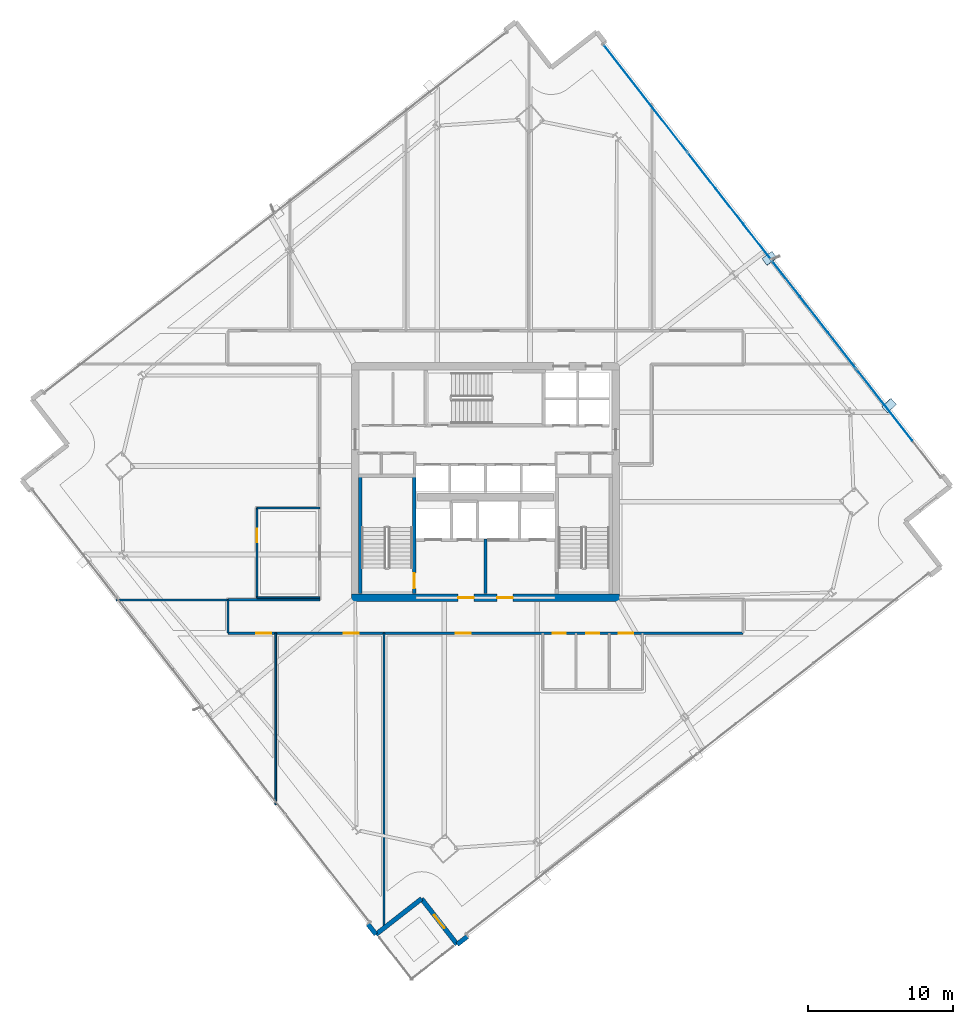
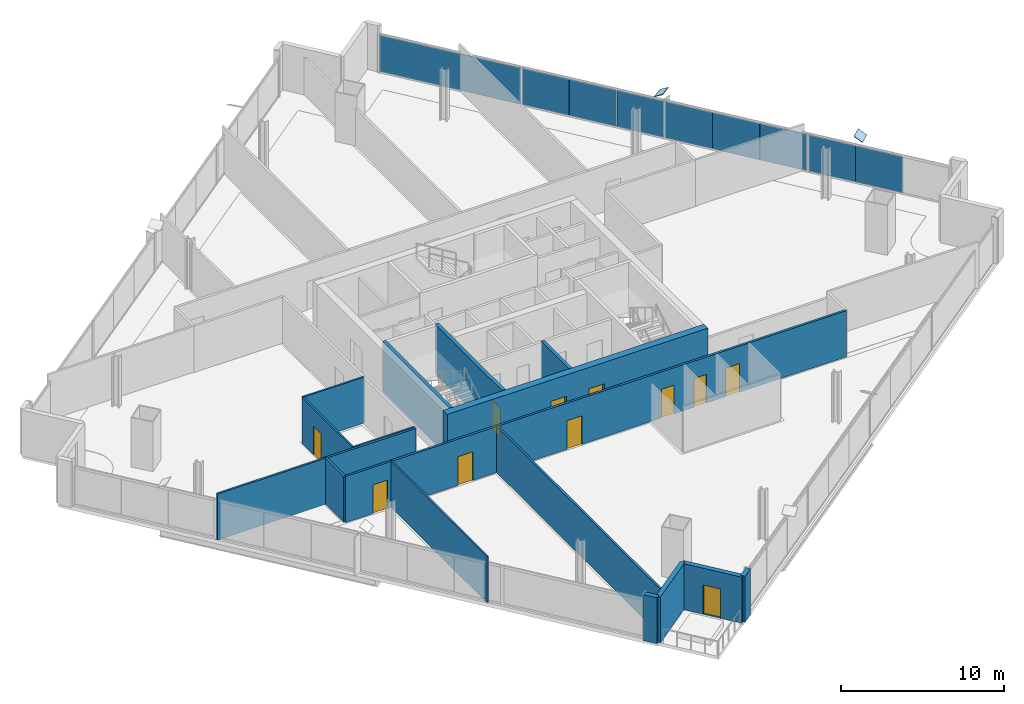
# One storey, part 24 of 32: 17 walls, 11 doors, 11 plates, 11 openings, 1 element without a shape of its own.
"""IFC4 building model written with IfcOpenShell, lengths in metres."""

from ifc_helpers import new_model, si_unit, direction, frame, frame_2d, origin, origin_2d, place, context, subcontext, project, spatial, rectangle, extrude, source, transform, mapped, material, layer, layer_set, type_object, element, fill, aggregate, save


model = new_model("IFC4")

# Units and contexts
model_context = context("Model", 3, precision=1e-05, world=origin(), true_north=direction((0.0, 1.0)))
body_context = subcontext(model_context, "Body", "Model", "MODEL_VIEW")
ifc_project = project(units=[si_unit("LENGTHUNIT", "METRE"), si_unit("AREAUNIT", "SQUARE_METRE"), si_unit("VOLUMEUNIT", "CUBIC_METRE"), si_unit("PLANEANGLEUNIT", "RADIAN"), si_unit("MASSUNIT", "GRAM", prefix="KILO")], contexts=[model_context])

# Site, building, storey
site_placement = place(None, origin())
site = spatial("IfcSite", under=ifc_project, at=site_placement, CompositionType="ELEMENT")
building_placement = place(site_placement, origin())
building = spatial("IfcBuilding", under=site, at=building_placement, Name="Haldenkirk Collegiate Tower", CompositionType="ELEMENT")
storey_placement = place(building_placement, frame((0.0, 0.0, 155.699951171875)))
storey = spatial("IfcBuildingStorey", under=building, at=storey_placement, Name="L38", CompositionType="ELEMENT", Elevation=155.699951171875)

# Plates
ifc_material_1 = material(Name="Steel ASTM A572 Grade 50", Category="steel")
ifc_layer_1 = layer(ifc_material_1, 0.034912109375)
ifc_layer_set_1 = layer_set([ifc_layer_1], Name="Steel ASTM A572 Grade 50")
plate_type_1 = type_object("IfcPlateType", Name="PLT-CAP-EXT-760X600", PredefinedType="USERDEFINED", material=ifc_layer_set_1)
shared_shape_1 = source(origin(), body_context, "Body", "SweptSolid", [
    extrude(rectangle(XDim=0.860107421875, YDim=0.659912109375, at=origin_2d()), origin(), (0.0, 0.0, 1.0), 0.034912109375),
])
for number, where, z_axis, x_axis, name in (
    (1, (63.888916015625, 31.291015625, 3.447509765625), (0.34896288451, -0.38679387199, 0.853589717502), (0.742483876472, 0.669863936318, -5.8109e-08), "Perimeter Mega Brace Z3 L36-L38 EL end cap plate 2"),
    (2, (55.6337890625, 41.44873046875, 3.447265625), (-0.284263022692, 0.393423031406, 0.874307069793), (-0.810558085201, -0.585658254032, -2.8102e-07), "Perimeter Mega Brace Z3 L36-L38 ER end cap plate 2"),
):
    element("IfcPlate", number, at=place(storey_placement, frame(where, z_axis=z_axis, x_axis=x_axis)), inside=storey, type_object=plate_type_1, Name=name, ObjectType="END CAP PLATE", PredefinedType="USERDEFINED", context=body_context, shape_type="MappedRepresentation", body=[
        mapped(shared_shape_1, transform((0.0, 0.0, 0.0), x_axis=(1.0, 0.0, 0.0), y_axis=(0.0, 1.0, 0.0), z_axis=(0.0, 0.0, 1.0), scale=1.0)),
    ])

# Curtain wall, plates
ifc_material_2 = material(Name="Anodised architectural bronze aluminium", Category="aluminium")
curtain_wall_type = type_object("IfcCurtainWallType", Name="CW-SYS1-CONVEX-LOW", PredefinedType="USERDEFINED", material=ifc_material_2)
curtain_wall_placement = place(storey_placement, origin())
curtain_wall = element("IfcCurtainWall", 3, at=curtain_wall_placement, inside=storey, type_object=curtain_wall_type, Name="L38 Lower tower convex bronze-framed unitised curtain wall", ObjectType="UNITISED CURTAIN WALL", PredefinedType="USERDEFINED")
ifc_material_3 = material(Name="Low-E argon triple insulating glass", Category="glass")
ifc_layer_2 = layer(ifc_material_3, 0.0439453125)
ifc_layer_set_2 = layer_set([ifc_layer_2], Name="Low-E argon triple insulating glass")
plate_type_2 = type_object("IfcPlateType", Name="CW-PNL-1A", PredefinedType="CURTAIN_PANEL", material=ifc_layer_set_2)
shared_shape_2 = source(origin(), body_context, "Body", "SweptSolid", [
    extrude(rectangle(XDim=9.3798828125, YDim=0.0439453125, at=origin_2d()), origin(), (0.0, 0.0, 1.0), 2.7509765625),
])
plate_1_placement = place(storey_placement, frame((47.0400390625, 52.52880859375, 0.080078125), z_axis=(0.0, 0.0, 1.0), x_axis=(0.614973811968, -0.788547532235, 0.0)))
plate_1 = element("IfcPlate", 4, at=plate_1_placement, type_object=plate_type_2, Name="CW-1A panel 1.1", PredefinedType="CURTAIN_PANEL", context=body_context, shape_type="MappedRepresentation", body=[
    mapped(shared_shape_2, transform((0.0, 0.0, 0.0), x_axis=(1.0, 0.0, 0.0), y_axis=(0.0, 1.0, 0.0), z_axis=(0.0, 0.0, 1.0), scale=1.0)),
])
shared_shape_3 = source(origin(), body_context, "Body", "SweptSolid", [
    extrude(rectangle(XDim=3.12744140625, YDim=0.0439453125, at=origin_2d()), origin(), (0.0, 0.0, 1.0), 2.7509765625),
])
plate_2_placement = place(storey_placement, frame((50.93505859375, 47.534423828125, 0.080078125), z_axis=(0.0, 0.0, 1.0), x_axis=(0.614973811968, -0.788547532235, 0.0)))
plate_2 = element("IfcPlate", 5, at=plate_2_placement, type_object=plate_type_2, Name="CW-1A panel 2.1a", PredefinedType="CURTAIN_PANEL", context=body_context, shape_type="MappedRepresentation", body=[
    mapped(shared_shape_3, transform((0.0, 0.0, 0.0), x_axis=(1.0, 0.0, 0.0), y_axis=(0.0, 1.0, 0.0), z_axis=(0.0, 0.0, 1.0), scale=1.0)),
])
ifc_material_4 = material(Name="Bronze-anodised insulated aluminium spandrel panel", Category="aluminium")
ifc_layer_3 = layer(ifc_material_4, 0.0439453125)
ifc_layer_set_3 = layer_set([ifc_layer_3], Name="Bronze-anodised insulated aluminium spandrel panel")
plate_type_3 = type_object("IfcPlateType", Name="CW-SPD-1A", PredefinedType="CURTAIN_PANEL", material=ifc_layer_set_3)
plate_3_placement = place(storey_placement, frame((54.8046875, 42.572509765625, 0.080078125), z_axis=(0.0, 0.0, 1.0), x_axis=(0.614973811968, -0.788547532235, 0.0)))
plate_3 = element("IfcPlate", 6, at=plate_3_placement, type_object=plate_type_3, Name="CW-1A spandrel panel 2.1c", PredefinedType="CURTAIN_PANEL", context=body_context, shape_type="MappedRepresentation", body=[
    mapped(shared_shape_3, transform((0.0, 0.0, 0.0), x_axis=(1.0, 0.0, 0.0), y_axis=(0.0, 1.0, 0.0), z_axis=(0.0, 0.0, 1.0), scale=1.0)),
])
plate_4_placement = place(storey_placement, frame((56.77734375, 40.043212890625, 0.080078125), z_axis=(0.0, 0.0, 1.0), x_axis=(0.614973811968, -0.788547532235, 0.0)))
plate_4 = element("IfcPlate", 7, at=plate_4_placement, type_object=plate_type_3, Name="CW-1A spandrel panel 3.1a", PredefinedType="CURTAIN_PANEL", context=body_context, shape_type="MappedRepresentation", body=[
    mapped(shared_shape_3, transform((0.0, 0.0, 0.0), x_axis=(1.0, 0.0, 0.0), y_axis=(0.0, 1.0, 0.0), z_axis=(0.0, 0.0, 1.0), scale=1.0)),
])
plate_5_placement = place(storey_placement, frame((60.64697265625, 35.081298828125, 0.080078125), z_axis=(0.0, 0.0, 1.0), x_axis=(0.614973811968, -0.788547532235, 0.0)))
plate_5 = element("IfcPlate", 8, at=plate_5_placement, type_object=plate_type_2, Name="CW-1A panel 3.1c", PredefinedType="CURTAIN_PANEL", context=body_context, shape_type="MappedRepresentation", body=[
    mapped(shared_shape_3, transform((0.0, 0.0, 0.0), x_axis=(1.0, 0.0, 0.0), y_axis=(0.0, 1.0, 0.0), z_axis=(0.0, 0.0, 1.0), scale=1.0)),
])
shared_shape_4 = source(origin(), body_context, "Body", "SweptSolid", [
    extrude(rectangle(XDim=3.114990234375, YDim=0.0439453125, at=origin_2d()), origin(), (0.0, 0.0, 1.0), 2.7509765625),
])
plate_6_placement = place(storey_placement, frame((52.869873046875, 45.053466796875, 0.080078125), z_axis=(0.0, 0.0, 1.0), x_axis=(0.614973811968, -0.788547532235, 0.0)))
plate_6 = element("IfcPlate", 9, at=plate_6_placement, type_object=plate_type_2, Name="CW-1A panel 2.1b", PredefinedType="CURTAIN_PANEL", context=body_context, shape_type="MappedRepresentation", body=[
    mapped(shared_shape_4, transform((0.0, 0.0, 0.0), x_axis=(1.0, 0.0, 0.0), y_axis=(0.0, 1.0, 0.0), z_axis=(0.0, 0.0, 1.0), scale=1.0)),
])
plate_7_placement = place(storey_placement, frame((58.712158203125, 37.562255859375, 0.080078125), z_axis=(0.0, 0.0, 1.0), x_axis=(0.614973811968, -0.788547532235, 0.0)))
plate_7 = element("IfcPlate", 10, at=plate_7_placement, type_object=plate_type_2, Name="CW-1A panel 3.1b", PredefinedType="CURTAIN_PANEL", context=body_context, shape_type="MappedRepresentation", body=[
    mapped(shared_shape_4, transform((0.0, 0.0, 0.0), x_axis=(1.0, 0.0, 0.0), y_axis=(0.0, 1.0, 0.0), z_axis=(0.0, 0.0, 1.0), scale=1.0)),
])
shared_shape_5 = source(origin(), body_context, "Body", "SweptSolid", [
    extrude(rectangle(XDim=3.1142578125, YDim=0.0439453125, at=origin_2d()), origin(), (0.0, 0.0, 1.0), 2.7509765625),
])
plate_8_placement = place(storey_placement, frame((62.615478515625, 32.55712890625, 0.080078125), z_axis=(0.0, 0.0, 1.0), x_axis=(0.614973811968, -0.788547532235, 0.0)))
plate_8 = element("IfcPlate", 11, at=plate_8_placement, type_object=plate_type_3, Name="CW-1A spandrel panel 4.1a", PredefinedType="CURTAIN_PANEL", context=body_context, shape_type="MappedRepresentation", body=[
    mapped(shared_shape_5, transform((0.0, 0.0, 0.0), x_axis=(1.0, 0.0, 0.0), y_axis=(0.0, 1.0, 0.0), z_axis=(0.0, 0.0, 1.0), scale=1.0)),
])
shared_shape_6 = source(origin(), body_context, "Body", "SweptSolid", [
    extrude(rectangle(XDim=3.101806640625, YDim=0.0439453125, at=origin_2d()), origin(), (0.0, 0.0, 1.0), 2.7509765625),
])
plate_9_placement = place(storey_placement, frame((64.5419921875, 30.0869140625, 0.080078125), z_axis=(0.0, 0.0, 1.0), x_axis=(0.614973811968, -0.788547532235, 0.0)))
plate_9 = element("IfcPlate", 12, at=plate_9_placement, type_object=plate_type_3, Name="CW-1A spandrel panel 4.1b", PredefinedType="CURTAIN_PANEL", context=body_context, shape_type="MappedRepresentation", body=[
    mapped(shared_shape_6, transform((0.0, 0.0, 0.0), x_axis=(1.0, 0.0, 0.0), y_axis=(0.0, 1.0, 0.0), z_axis=(0.0, 0.0, 1.0), scale=1.0)),
])
aggregate(curtain_wall, [plate_1, plate_2, plate_6, plate_3, plate_4, plate_7, plate_5, plate_8, plate_9])

# Wall, openings, doors
ifc_material_5 = material(Name="Concrete f'c 55 MPa", Category="concrete")
ifc_layer_4 = layer(ifc_material_5, 0.5)
ifc_layer_set_4 = layer_set([ifc_layer_4], Name="Concrete f'c 55 MPa")
wall_type_1 = type_object("IfcWallType", Name="WL-CORE-500", PredefinedType="SHEAR", material=ifc_layer_set_4)
wall_1_placement = place(storey_placement, frame((26.75, 18.0, 0.0), z_axis=(0.0, 0.0, 1.0), x_axis=(1.0, 0.0, 0.0)))
wall_1 = element("IfcWall", 13, at=wall_1_placement, inside=storey, type_object=wall_type_1, Name="L38 central core shear wall S", PredefinedType="SHEAR", context=body_context, shape_type="SweptSolid", body=[
    extrude(rectangle(XDim=18.5, YDim=0.5, at=frame_2d((9.25, 0.0))), origin(), (0.0, 0.0, 1.0), 3.75),
])
opening_1_placement = place(wall_1_placement, frame((7.35009765625, 0.0, 0.0)))
opening_1 = element("IfcOpeningElement", 14, at=opening_1_placement, cuts=wall_1, Name="Opening D-02", PredefinedType="OPENING", context=body_context, shape_type="SweptSolid", body=[
    extrude(rectangle(XDim=1.10009765625, YDim=2.14990234375, at=frame_2d((0.550048828125, 1.074951171875))), frame((0.0, 0.260009765625, 0.0), z_axis=(0.0, -1.0, 0.0), x_axis=(1.0, 0.0, 0.0)), (0.0, 0.0, 1.0), 0.52001953125),
])
opening_2_placement = place(wall_1_placement, frame((10.050048828125, 0.0, 0.0)))
opening_2 = element("IfcOpeningElement", 15, at=opening_2_placement, cuts=wall_1, Name="Opening D-02", PredefinedType="OPENING", context=body_context, shape_type="SweptSolid", body=[
    extrude(rectangle(XDim=1.10009765625, YDim=2.14990234375, at=frame_2d((0.550048828125, 1.074951171875))), frame((0.0, 0.260009765625, 0.0), z_axis=(0.0, -1.0, 0.0), x_axis=(1.0, 0.0, 0.0)), (0.0, 0.0, 1.0), 0.52001953125),
])
ifc_material_6 = material(Name="Galvanized fire-rated hollow steel door", Category="steel")
ifc_layer_5 = layer(ifc_material_6, 0.06005859375)
ifc_layer_set_5 = layer_set([ifc_layer_5], Name="Galvanized fire-rated hollow steel door")
door_type_1 = type_object("IfcDoorType", Name="DR-STAIR-FD90-1100", OperationType="NOTDEFINED", PredefinedType="DOOR", material=ifc_layer_set_5)
door_1_placement = place(opening_1_placement, origin())
door_1 = element("IfcDoor", 16, at=door_1_placement, inside=storey, type_object=door_type_1, Name="L38 Firefighting Lobby 1 door", OperationType="SINGLE_SWING_LEFT", OverallHeight=2.14990234375, OverallWidth=1.10009765625, PredefinedType="DOOR", context=body_context, shape_type="SweptSolid", body=[
    extrude(rectangle(XDim=1.10009765625, YDim=2.14990234375, at=frame_2d((0.550048828125, 1.074951171875))), frame((0.0, 0.02490234375, 0.0), z_axis=(0.0, -1.0, 0.0), x_axis=(1.0, 0.0, 0.0)), (0.0, 0.0, 1.0), 0.050048828125),
])
fill(opening_1, door_1)
door_2_placement = place(opening_2_placement, origin())
door_2 = element("IfcDoor", 17, at=door_2_placement, inside=storey, type_object=door_type_1, Name="L38 Firefighting Lobby 2 door", OperationType="SINGLE_SWING_RIGHT", OverallHeight=2.14990234375, OverallWidth=1.10009765625, PredefinedType="DOOR", context=body_context, shape_type="SweptSolid", body=[
    extrude(rectangle(XDim=1.10009765625, YDim=2.14990234375, at=frame_2d((0.550048828125, 1.074951171875))), frame((0.0, 0.02490234375, 0.0), z_axis=(0.0, -1.0, 0.0), x_axis=(1.0, 0.0, 0.0)), (0.0, 0.0, 1.0), 0.050048828125),
])
fill(opening_2, door_2)

# Walls
ifc_material_7 = material(Name="Precast concrete f'c 40 MPa", Category="concrete")
ifc_layer_6 = layer(ifc_material_7, 0.320068359375)
ifc_layer_set_6 = layer_set([ifc_layer_6], Name="Precast concrete f'c 40 MPa")
wall_type_2 = type_object("IfcWallType", Name="WL-EXT-TWR-320", PredefinedType="STANDARD", material=ifc_layer_set_6)
for number, where, z_axis, x_axis, name in (
    (18, (34.751953125, -5.4091796875, 0.0), (0.0, 0.0, 1.0), (-0.788562815333, -0.614954214778, 0.0), "L38 precast corner pier SR"),
    (19, (28.427978515625, -5.268310546875, 0.0), (0.0, 0.0, 1.0), (-0.614954214778, 0.788562815333, 0.0), "L38 precast corner pier WL"),
):
    element("IfcWall", number, at=place(storey_placement, frame(where, z_axis=z_axis, x_axis=x_axis)), inside=storey, type_object=wall_type_2, Name=name, PredefinedType="STANDARD", context=body_context, shape_type="SweptSolid", body=[
        extrude(rectangle(XDim=0.89990234375, YDim=0.320068359375, at=frame_2d((0.449951171875, 0.0))), origin(), (0.0, 0.0, 1.0), 3.4599609375),
    ])
wall_2_placement = place(storey_placement, frame((31.582275390625, -2.808349609375, 0.0), z_axis=(0.0, 0.0, 1.0), x_axis=(-0.788549660994, -0.614971082366, 0.0)))
element("IfcWall", 20, at=wall_2_placement, inside=storey, type_object=wall_type_2, Name="L38 bronze precast notch wall 11", PredefinedType="STANDARD", context=body_context, shape_type="SweptSolid", body=[
    extrude(rectangle(XDim=4.000244140625, YDim=0.320068359375, at=frame_2d((2.0, 0.0))), origin(), (0.0, 0.0, 1.0), 3.4599609375),
])

# Wall, opening, door
wall_3_placement = place(storey_placement, frame((34.042236328125, -5.962646484375, 0.0), z_axis=(0.0, 0.0, 1.0), x_axis=(-0.614971082366, 0.788549660994, 0.0)))
wall_3 = element("IfcWall", 21, at=wall_3_placement, inside=storey, type_object=wall_type_2, Name="L38 bronze precast notch wall 12", PredefinedType="STANDARD", context=body_context, shape_type="SweptSolid", body=[
    extrude(rectangle(XDim=4.000244140625, YDim=0.320068359375, at=frame_2d((2.0, 0.0))), origin(), (0.0, 0.0, 1.0), 3.4599609375),
])
opening_3_placement = place(wall_3_placement, frame((1.425048828125, 0.0, 0.0)))
opening_3 = element("IfcOpeningElement", 22, at=opening_3_placement, cuts=wall_3, Name="Opening D-ST11", PredefinedType="OPENING", context=body_context, shape_type="SweptSolid", body=[
    extrude(rectangle(XDim=1.14990234375, YDim=2.199951171875, at=frame_2d((0.574951171875, 1.10009765625))), frame((0.0, 0.169921875, 0.0), z_axis=(0.0, -1.0, 0.0), x_axis=(1.0, 0.0, 0.0)), (0.0, 0.0, 1.0), 0.340087890625),
])
ifc_layer_7 = layer(ifc_material_2, 0.080078125)
ifc_layer_set_7 = layer_set([ifc_layer_7], Name="Anodised architectural bronze aluminium")
door_type_2 = type_object("IfcDoorType", Name="DR-EXT-STER-1150", OperationType="NOTDEFINED", PredefinedType="DOOR", material=ifc_layer_set_7)
door_3_placement = place(opening_3_placement, origin())
door_3 = element("IfcDoor", 23, at=door_3_placement, inside=storey, type_object=door_type_2, Name="L38 spiralling terrace door", OperationType="SINGLE_SWING_LEFT", OverallHeight=2.199951171875, OverallWidth=1.14990234375, PredefinedType="DOOR", context=body_context, shape_type="SweptSolid", body=[
    extrude(rectangle(XDim=1.14990234375, YDim=2.199951171875, at=frame_2d((0.574951171875, 1.10009765625))), frame((0.0, 0.02490234375, 0.0), z_axis=(0.0, -1.0, 0.0), x_axis=(1.0, 0.0, 0.0)), (0.0, 0.0, 1.0), 0.050048828125),
])
fill(opening_3, door_3)

# Wall, openings, doors
ifc_material_8 = material(Name="Acoustic fire-rated gypsum partition", Category="concrete")
ifc_layer_8 = layer(ifc_material_8, 0.159912109375)
ifc_layer_set_8 = layer_set([ifc_layer_8], Name="Acoustic fire-rated gypsum partition")
wall_type_3 = type_object("IfcWallType", Name="WL-INT-CORR-160", PredefinedType="PARTITIONING", material=ifc_layer_set_8)
wall_4_placement = place(storey_placement, frame((18.199951171875, 15.550048828125, 0.0), z_axis=(0.0, 0.0, 1.0), x_axis=(1.0, 0.0, 0.0)))
wall_4 = element("IfcWall", 24, at=wall_4_placement, inside=storey, type_object=wall_type_3, Name="L38 interior partition IW-L38-CS", PredefinedType="PARTITIONING", context=body_context, shape_type="SweptSolid", body=[
    extrude(rectangle(XDim=35.60009765625, YDim=0.159912109375, at=frame_2d((17.800048828125, 0.0))), origin(), (0.0, 0.0, 1.0), 3.4599609375),
])
opening_4_placement = place(wall_4_placement, frame((22.449951171875, 0.0, 0.0)))
opening_4 = element("IfcOpeningElement", 25, at=opening_4_placement, cuts=wall_4, Name="Opening D-13", PredefinedType="OPENING", context=body_context, shape_type="SweptSolid", body=[
    extrude(rectangle(XDim=0.89990234375, YDim=2.14990234375, at=frame_2d((0.449951171875, 1.074951171875))), frame((0.0, 0.08984375, 0.0), z_axis=(0.0, -1.0, 0.0), x_axis=(1.0, 0.0, 0.0)), (0.0, 0.0, 1.0), 0.179931640625),
])
opening_5_placement = place(wall_4_placement, frame((24.75, 0.0, 0.0)))
opening_5 = element("IfcOpeningElement", 26, at=opening_5_placement, cuts=wall_4, Name="Opening D-13", PredefinedType="OPENING", context=body_context, shape_type="SweptSolid", body=[
    extrude(rectangle(XDim=0.89990234375, YDim=2.14990234375, at=frame_2d((0.449951171875, 1.074951171875))), frame((0.0, 0.08984375, 0.0), z_axis=(0.0, -1.0, 0.0), x_axis=(1.0, 0.0, 0.0)), (0.0, 0.0, 1.0), 0.179931640625),
])
opening_6_placement = place(wall_4_placement, frame((27.0, 0.0, 0.0)))
opening_6 = element("IfcOpeningElement", 27, at=opening_6_placement, cuts=wall_4, Name="Opening D-14", PredefinedType="OPENING", context=body_context, shape_type="SweptSolid", body=[
    extrude(rectangle(XDim=1.0, YDim=2.14990234375, at=frame_2d((0.5, 1.074951171875))), frame((0.0, 0.08984375, 0.0), z_axis=(0.0, -1.0, 0.0), x_axis=(1.0, 0.0, 0.0)), (0.0, 0.0, 1.0), 0.179931640625),
])
opening_7_placement = place(wall_4_placement, frame((1.945068359375, 0.0, 0.0)))
opening_7 = element("IfcOpeningElement", 28, at=opening_7_placement, cuts=wall_4, Name="Opening D-09", PredefinedType="OPENING", context=body_context, shape_type="SweptSolid", body=[
    extrude(rectangle(XDim=1.050048828125, YDim=2.14990234375, at=frame_2d((0.52490234375, 1.074951171875))), frame((0.0, 0.08984375, 0.0), z_axis=(0.0, -1.0, 0.0), x_axis=(1.0, 0.0, 0.0)), (0.0, 0.0, 1.0), 0.179931640625),
])
opening_8_placement = place(wall_4_placement, frame((7.9951171875, 0.0, 0.0)))
opening_8 = element("IfcOpeningElement", 29, at=opening_8_placement, cuts=wall_4, Name="Opening D-09", PredefinedType="OPENING", context=body_context, shape_type="SweptSolid", body=[
    extrude(rectangle(XDim=1.050048828125, YDim=2.14990234375, at=frame_2d((0.52490234375, 1.074951171875))), frame((0.0, 0.08984375, 0.0), z_axis=(0.0, -1.0, 0.0), x_axis=(1.0, 0.0, 0.0)), (0.0, 0.0, 1.0), 0.179931640625),
])
opening_9_placement = place(wall_4_placement, frame((15.739990234375, 0.0, 0.0)))
opening_9 = element("IfcOpeningElement", 30, at=opening_9_placement, cuts=wall_4, Name="Opening D-09", PredefinedType="OPENING", context=body_context, shape_type="SweptSolid", body=[
    extrude(rectangle(XDim=1.050048828125, YDim=2.14990234375, at=frame_2d((0.52490234375, 1.074951171875))), frame((0.0, 0.08984375, 0.0), z_axis=(0.0, -1.0, 0.0), x_axis=(1.0, 0.0, 0.0)), (0.0, 0.0, 1.0), 0.179931640625),
])
ifc_material_9 = material(Name="Solid-core architectural oak fire door", Category="wood")
ifc_layer_9 = layer(ifc_material_9, 0.06005859375)
ifc_layer_set_9 = layer_set([ifc_layer_9], Name="Solid-core architectural oak fire door")
door_type_3 = type_object("IfcDoorType", Name="DR-INT-ACC-1000", OperationType="NOTDEFINED", PredefinedType="DOOR", material=ifc_layer_set_9)
door_4_placement = place(opening_6_placement, origin())
door_4 = element("IfcDoor", 31, at=door_4_placement, inside=storey, type_object=door_type_3, Name="L38 Accessible WC door", OperationType="SINGLE_SWING_RIGHT", OverallHeight=2.14990234375, OverallWidth=1.0, PredefinedType="DOOR", context=body_context, shape_type="SweptSolid", body=[
    extrude(rectangle(XDim=1.0, YDim=2.14990234375, at=frame_2d((0.5, 1.074951171875))), frame((0.0, 0.02490234375, 0.0), z_axis=(0.0, -1.0, 0.0), x_axis=(1.0, 0.0, 0.0)), (0.0, 0.0, 1.0), 0.050048828125),
])
fill(opening_6, door_4)
ifc_layer_10 = layer(ifc_material_9, 0.06005859375)
ifc_layer_set_10 = layer_set([ifc_layer_10], Name="Solid-core architectural oak fire door")
door_type_4 = type_object("IfcDoorType", Name="DR-INT-FD60-1050", OperationType="NOTDEFINED", PredefinedType="DOOR", material=ifc_layer_set_10)
door_5_placement = place(opening_7_placement, origin())
door_5 = element("IfcDoor", 32, at=door_5_placement, inside=storey, type_object=door_type_4, Name="L38 Student Wellness Clinic 1 door", OperationType="SINGLE_SWING_LEFT", OverallHeight=2.14990234375, OverallWidth=1.050048828125, PredefinedType="DOOR", context=body_context, shape_type="SweptSolid", body=[
    extrude(rectangle(XDim=1.050048828125, YDim=2.14990234375, at=frame_2d((0.52490234375, 1.074951171875))), frame((0.0, 0.02490234375, 0.0), z_axis=(0.0, -1.0, 0.0), x_axis=(1.0, 0.0, 0.0)), (0.0, 0.0, 1.0), 0.050048828125),
])
fill(opening_7, door_5)
door_6_placement = place(opening_8_placement, origin())
door_6 = element("IfcDoor", 33, at=door_6_placement, inside=storey, type_object=door_type_4, Name="L38 Academic Counseling Clinic 2 door", OperationType="SINGLE_SWING_RIGHT", OverallHeight=2.14990234375, OverallWidth=1.050048828125, PredefinedType="DOOR", context=body_context, shape_type="SweptSolid", body=[
    extrude(rectangle(XDim=1.050048828125, YDim=2.14990234375, at=frame_2d((0.52490234375, 1.074951171875))), frame((0.0, 0.02490234375, 0.0), z_axis=(0.0, -1.0, 0.0), x_axis=(1.0, 0.0, 0.0)), (0.0, 0.0, 1.0), 0.050048828125),
])
fill(opening_8, door_6)
door_7_placement = place(opening_9_placement, origin())
door_7 = element("IfcDoor", 34, at=door_7_placement, inside=storey, type_object=door_type_4, Name="L38 Health Triage Clinic 3 door", OperationType="SINGLE_SWING_LEFT", OverallHeight=2.14990234375, OverallWidth=1.050048828125, PredefinedType="DOOR", context=body_context, shape_type="SweptSolid", body=[
    extrude(rectangle(XDim=1.050048828125, YDim=2.14990234375, at=frame_2d((0.52490234375, 1.074951171875))), frame((0.0, 0.02490234375, 0.0), z_axis=(0.0, -1.0, 0.0), x_axis=(1.0, 0.0, 0.0)), (0.0, 0.0, 1.0), 0.050048828125),
])
fill(opening_9, door_7)
ifc_layer_11 = layer(ifc_material_9, 0.06005859375)
ifc_layer_set_11 = layer_set([ifc_layer_11], Name="Solid-core architectural oak fire door")
door_type_5 = type_object("IfcDoorType", Name="DR-INT-STD-900", OperationType="NOTDEFINED", PredefinedType="DOOR", material=ifc_layer_set_11)
door_8_placement = place(opening_4_placement, origin())
door_8 = element("IfcDoor", 35, at=door_8_placement, inside=storey, type_object=door_type_5, Name="L38 Male WC door", OperationType="SINGLE_SWING_RIGHT", OverallHeight=2.14990234375, OverallWidth=0.89990234375, PredefinedType="DOOR", context=body_context, shape_type="SweptSolid", body=[
    extrude(rectangle(XDim=0.89990234375, YDim=2.14990234375, at=frame_2d((0.449951171875, 1.074951171875))), frame((0.0, 0.02490234375, 0.0), z_axis=(0.0, -1.0, 0.0), x_axis=(1.0, 0.0, 0.0)), (0.0, 0.0, 1.0), 0.050048828125),
])
fill(opening_4, door_8)
door_9_placement = place(opening_5_placement, origin())
door_9 = element("IfcDoor", 36, at=door_9_placement, inside=storey, type_object=door_type_5, Name="L38 Female WC door", OperationType="SINGLE_SWING_LEFT", OverallHeight=2.14990234375, OverallWidth=0.89990234375, PredefinedType="DOOR", context=body_context, shape_type="SweptSolid", body=[
    extrude(rectangle(XDim=0.89990234375, YDim=2.14990234375, at=frame_2d((0.449951171875, 1.074951171875))), frame((0.0, 0.02490234375, 0.0), z_axis=(0.0, -1.0, 0.0), x_axis=(1.0, 0.0, 0.0)), (0.0, 0.0, 1.0), 0.050048828125),
])
fill(opening_5, door_9)

# Walls
wall_5_placement = place(storey_placement, frame((18.199951171875, 17.85009765625, 0.0), z_axis=(0.0, 0.0, 1.0), x_axis=(1.0, 0.0, 0.0)))
element("IfcWall", 37, at=wall_5_placement, inside=storey, type_object=wall_type_3, Name="L38 interior partition IW-L38-CSW", PredefinedType="PARTITIONING", context=body_context, shape_type="SweptSolid", body=[
    extrude(rectangle(XDim=6.35009765625, YDim=0.159912109375, at=frame_2d((3.175048828125, 0.0))), origin(), (0.0, 0.0, 1.0), 3.4599609375),
])
wall_6_placement = place(storey_placement, frame((18.199951171875, 15.550048828125, 0.0), z_axis=(0.0, 0.0, 1.0), x_axis=(0.0, 1.0, 0.0)))
element("IfcWall", 38, at=wall_6_placement, inside=storey, type_object=wall_type_3, Name="L38 interior partition IW-L38-CSL", PredefinedType="PARTITIONING", context=body_context, shape_type="SweptSolid", body=[
    extrude(rectangle(XDim=2.300048828125, YDim=0.159912109375, at=frame_2d((1.14990234375, 0.0))), origin(), (0.0, 0.0, 1.0), 3.4599609375),
])
ifc_layer_12 = layer(ifc_material_8, 0.139892578125)
ifc_layer_set_12 = layer_set([ifc_layer_12], Name="Acoustic fire-rated gypsum partition")
wall_type_4 = type_object("IfcWallType", Name="WL-INT-DIV-140", PredefinedType="PARTITIONING", material=ifc_layer_set_12)
wall_7_placement = place(storey_placement, frame((10.44921875, 17.85009765625, 0.0), z_axis=(0.0, 0.0, 1.0), x_axis=(1.0, 0.0, 0.0)))
element("IfcWall", 39, at=wall_7_placement, inside=storey, type_object=wall_type_4, Name="L38 interior partition IW-L38-BWS", PredefinedType="PARTITIONING", context=body_context, shape_type="SweptSolid", body=[
    extrude(rectangle(XDim=7.750732421875, YDim=0.139892578125, at=frame_2d((3.87548828125, 0.0))), origin(), (0.0, 0.0, 1.0), 3.4599609375),
])
wall_8_placement = place(storey_placement, frame((29.0, -4.771484375, 0.0), z_axis=(0.0, 0.0, 1.0), x_axis=(0.0, 1.0, 0.0)))
element("IfcWall", 40, at=wall_8_placement, inside=storey, type_object=wall_type_4, Name="L38 interior partition IW-L38-RS2", PredefinedType="PARTITIONING", context=body_context, shape_type="SweptSolid", body=[
    extrude(rectangle(XDim=20.321533203125, YDim=0.139892578125, at=frame_2d((10.16064453125, 0.0))), origin(), (0.0, 0.0, 1.0), 3.4599609375),
])
ifc_material_10 = material(Name="Fire-rated gypsum shaftboard assembly", Category="concrete")
ifc_layer_13 = layer(ifc_material_10, 0.199951171875)
ifc_layer_set_13 = layer_set([ifc_layer_13], Name="Fire-rated gypsum shaftboard assembly")
wall_type_5 = type_object("IfcWallType", Name="WL-INT-SHAFT-200", PredefinedType="PARTITIONING", material=ifc_layer_set_13)
wall_9_placement = place(storey_placement, frame((36.0, 18.280029296875, 0.0), z_axis=(0.0, 0.0, 1.0), x_axis=(0.0, 1.0, 0.0)))
element("IfcWall", 41, at=wall_9_placement, inside=storey, type_object=wall_type_5, Name="L38 interior partition IW-L38-FFLM", PredefinedType="PARTITIONING", context=body_context, shape_type="SweptSolid", body=[
    extrude(rectangle(XDim=3.77001953125, YDim=0.199951171875, at=frame_2d((1.885009765625, 0.0))), origin(), (0.0, 0.0, 1.0), 3.4599609375),
])
ifc_layer_14 = layer(ifc_material_8, 0.1201171875)
ifc_layer_set_14 = layer_set([ifc_layer_14], Name="Acoustic fire-rated gypsum partition")
wall_type_6 = type_object("IfcWallType", Name="WL-INT-WET-120", PredefinedType="PARTITIONING", material=ifc_layer_set_14)
wall_10_placement = place(storey_placement, frame((21.5, 3.680419921875, 0.0), z_axis=(0.0, 0.0, 1.0), x_axis=(0.0, 1.0, 0.0)))
element("IfcWall", 42, at=wall_10_placement, inside=storey, type_object=wall_type_6, Name="L38 interior partition IW-L38-RS1", PredefinedType="PARTITIONING", context=body_context, shape_type="SweptSolid", body=[
    extrude(rectangle(XDim=11.86962890625, YDim=0.1201171875, at=frame_2d((5.934814453125, 0.0))), origin(), (0.0, 0.0, 1.0), 3.4599609375),
])
wall_11_placement = place(storey_placement, frame((20.199951171875, 18.0, 0.0), z_axis=(0.0, 0.0, 1.0), x_axis=(1.0, 0.0, 0.0)))
element("IfcWall", 43, at=wall_11_placement, inside=storey, type_object=wall_type_6, Name="L38 interior partition IW-L38-SUBWS", PredefinedType="PARTITIONING", context=body_context, shape_type="SweptSolid", body=[
    extrude(rectangle(XDim=4.35009765625, YDim=0.1201171875, at=frame_2d((2.175048828125, 0.0))), origin(), (0.0, 0.0, 1.0), 3.4599609375),
])

# Wall, opening, door
wall_12_placement = place(storey_placement, frame((20.199951171875, 18.0, 0.0), z_axis=(0.0, 0.0, 1.0), x_axis=(0.0, 1.0, 0.0)))
wall_12 = element("IfcWall", 44, at=wall_12_placement, inside=storey, type_object=wall_type_6, Name="L38 interior partition IW-L38-SUBW", PredefinedType="PARTITIONING", context=body_context, shape_type="SweptSolid", body=[
    extrude(rectangle(XDim=6.199951171875, YDim=0.1201171875, at=frame_2d((3.10009765625, 0.0))), origin(), (0.0, 0.0, 1.0), 3.4599609375),
])
opening_10_placement = place(wall_12_placement, frame((3.824951171875, 0.0, 0.0)))
opening_10 = element("IfcOpeningElement", 45, at=opening_10_placement, cuts=wall_12, Name="Opening D-12", PredefinedType="OPENING", context=body_context, shape_type="SweptSolid", body=[
    extrude(rectangle(XDim=0.949951171875, YDim=2.14990234375, at=frame_2d((0.47509765625, 1.074951171875))), frame((0.0, 0.070068359375, 0.0), z_axis=(0.0, -1.0, 0.0), x_axis=(1.0, 0.0, 0.0)), (0.0, 0.0, 1.0), 0.14013671875),
])
ifc_layer_15 = layer(ifc_material_9, 0.06005859375)
ifc_layer_set_15 = layer_set([ifc_layer_15], Name="Solid-core architectural oak fire door")
door_type_6 = type_object("IfcDoorType", Name="DR-INT-STD-950", OperationType="NOTDEFINED", PredefinedType="DOOR", material=ifc_layer_set_15)
door_10_placement = place(opening_10_placement, origin())
door_10 = element("IfcDoor", 46, at=door_10_placement, inside=storey, type_object=door_type_6, Name="L38 West Faculty Tutorial Pod suite door", OperationType="SINGLE_SWING_RIGHT", OverallHeight=2.14990234375, OverallWidth=0.949951171875, PredefinedType="DOOR", context=body_context, shape_type="SweptSolid", body=[
    extrude(rectangle(XDim=0.949951171875, YDim=2.14990234375, at=frame_2d((0.47509765625, 1.074951171875))), frame((0.0, 0.02490234375, 0.0), z_axis=(0.0, -1.0, 0.0), x_axis=(1.0, 0.0, 0.0)), (0.0, 0.0, 1.0), 0.050048828125),
])
fill(opening_10, door_10)

# Wall
wall_13_placement = place(storey_placement, frame((20.199951171875, 24.199951171875, 0.0), z_axis=(0.0, 0.0, 1.0), x_axis=(1.0, 0.0, 0.0)))
element("IfcWall", 47, at=wall_13_placement, inside=storey, type_object=wall_type_6, Name="L38 interior partition IW-L38-SUBWN", PredefinedType="PARTITIONING", context=body_context, shape_type="SweptSolid", body=[
    extrude(rectangle(XDim=4.35009765625, YDim=0.1201171875, at=frame_2d((2.175048828125, 0.0))), origin(), (0.0, 0.0, 1.0), 3.4599609375),
])

# Wall, opening, door
ifc_layer_16 = layer(ifc_material_5, 0.239990234375)
ifc_layer_set_16 = layer_set([ifc_layer_16], Name="Concrete f'c 55 MPa")
wall_type_7 = type_object("IfcWallType", Name="WL-SHAFT-240", PredefinedType="SHEAR", material=ifc_layer_set_16)
wall_14_placement = place(storey_placement, frame((31.070068359375, 18.280029296875, 0.0), z_axis=(0.0, 0.0, 1.0), x_axis=(0.0, 1.0, 0.0)))
wall_14 = element("IfcWall", 48, at=wall_14_placement, inside=storey, type_object=wall_type_7, Name="L38 stair shaft shear wall SW-L38-ST1E", PredefinedType="SHEAR", context=body_context, shape_type="SweptSolid", body=[
    extrude(rectangle(XDim=8.260009765625, YDim=0.239990234375, at=frame_2d((4.1298828125, 0.0))), origin(), (0.0, 0.0, 1.0), 3.75),
])
opening_11_placement = place(wall_14_placement, frame((0.364990234375, 0.0, 0.0)))
opening_11 = element("IfcOpeningElement", 49, at=opening_11_placement, cuts=wall_14, Name="Opening D-01", PredefinedType="OPENING", context=body_context, shape_type="SweptSolid", body=[
    extrude(rectangle(XDim=1.050048828125, YDim=2.14990234375, at=frame_2d((0.52490234375, 1.074951171875))), frame((0.0, 0.1298828125, 0.0), z_axis=(0.0, -1.0, 0.0), x_axis=(1.0, 0.0, 0.0)), (0.0, 0.0, 1.0), 0.260009765625),
])
ifc_layer_17 = layer(ifc_material_6, 0.06005859375)
ifc_layer_set_17 = layer_set([ifc_layer_17], Name="Galvanized fire-rated hollow steel door")
door_type_7 = type_object("IfcDoorType", Name="DR-STAIR-FD90-1050", OperationType="NOTDEFINED", PredefinedType="DOOR", material=ifc_layer_set_17)
door_11_placement = place(opening_11_placement, origin())
door_11 = element("IfcDoor", 50, at=door_11_placement, inside=storey, type_object=door_type_7, Name="L38 Stair 1 door", OperationType="SINGLE_SWING_LEFT", OverallHeight=2.14990234375, OverallWidth=1.050048828125, PredefinedType="DOOR", context=body_context, shape_type="SweptSolid", body=[
    extrude(rectangle(XDim=1.050048828125, YDim=2.14990234375, at=frame_2d((0.52490234375, 1.074951171875))), frame((0.0, 0.02490234375, 0.0), z_axis=(0.0, -1.0, 0.0), x_axis=(1.0, 0.0, 0.0)), (0.0, 0.0, 1.0), 0.050048828125),
])
fill(opening_11, door_11)

# Wall
wall_15_placement = place(storey_placement, frame((27.330078125, 18.280029296875, 0.0), z_axis=(0.0, 0.0, 1.0), x_axis=(0.0, 1.0, 0.0)))
element("IfcWall", 51, at=wall_15_placement, inside=storey, type_object=wall_type_7, Name="L38 stair shaft shear wall SW-L38-ST1W", PredefinedType="SHEAR", context=body_context, shape_type="SweptSolid", body=[
    extrude(rectangle(XDim=8.260009765625, YDim=0.239990234375, at=frame_2d((4.1298828125, 0.0))), origin(), (0.0, 0.0, 1.0), 3.75),
])

save(model, "model.ifc")
